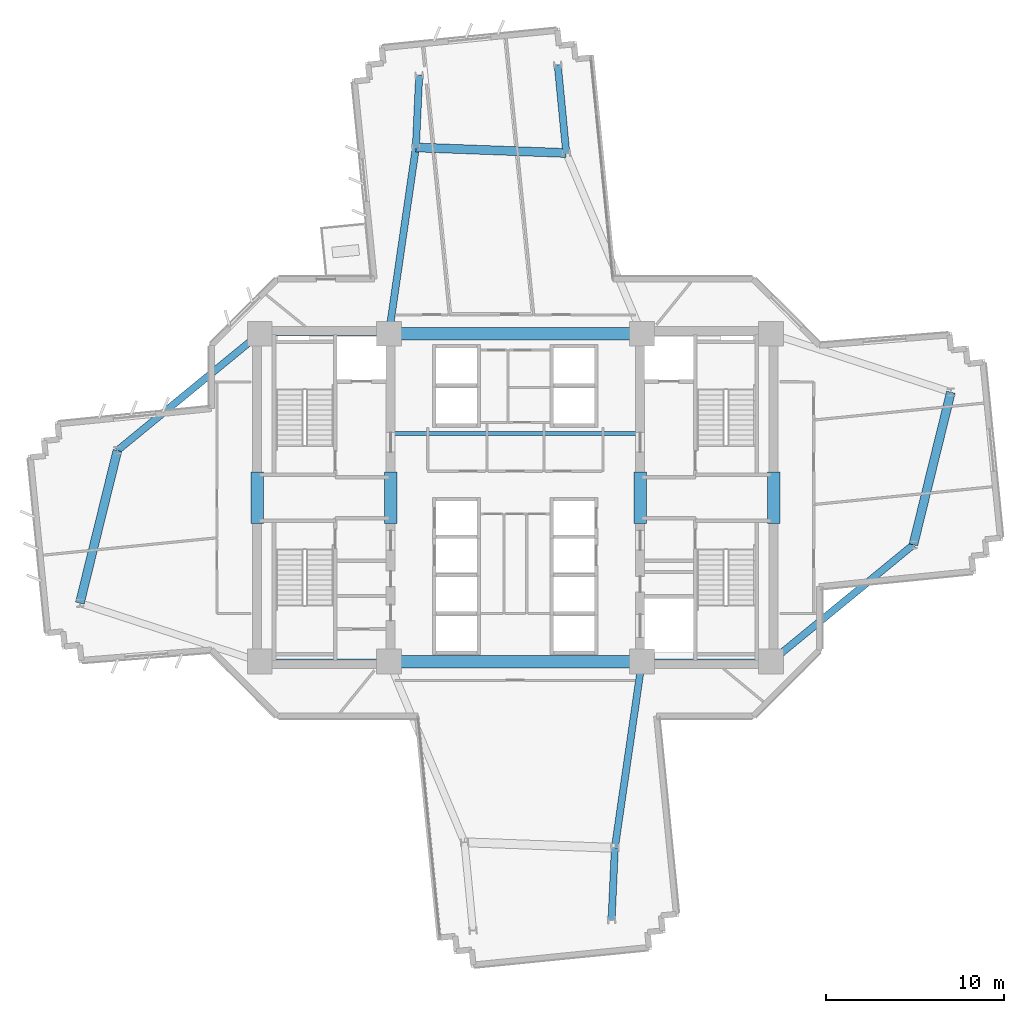
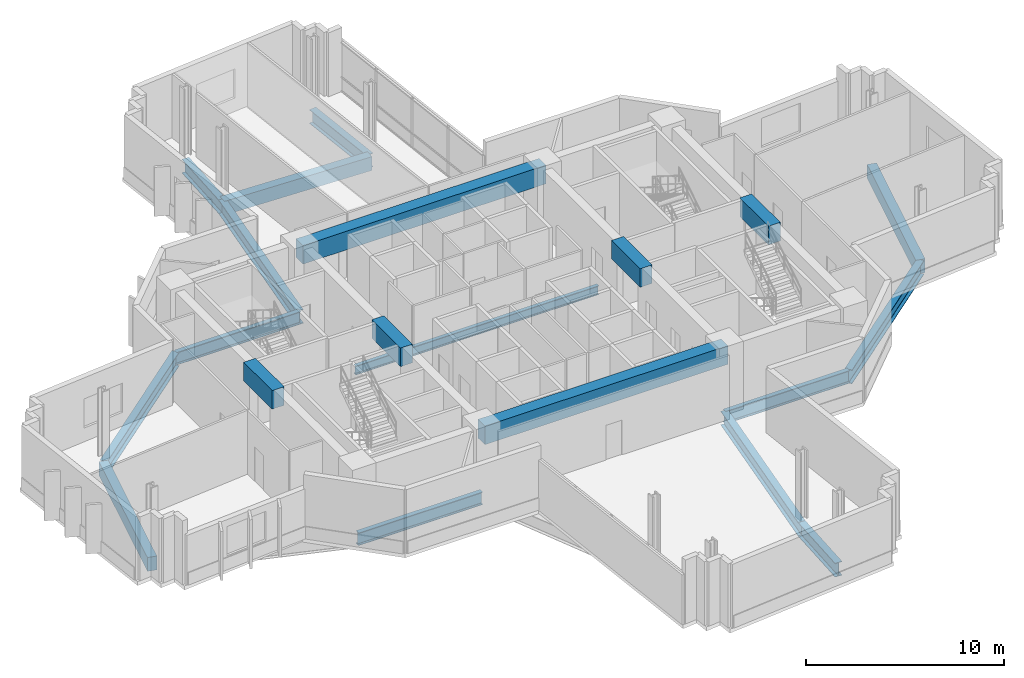
# One storey, part 3 of 14: 20 beams.
"""IFC4 building model written with IfcOpenShell, lengths in metres."""

from ifc_helpers import new_model, si_unit, direction, frame, origin, origin_2d, place, context, subcontext, project, spatial, rectangle, i_section, extrude, source, transform, mapped, material, material_profile, profile_set, type_object, element, save


model = new_model("IFC4")

# Units and contexts
model_context = context("Model", 3, precision=1e-05, world=origin(), true_north=direction((0.0, 1.0)))
body_context = subcontext(model_context, "Body", "Model", "MODEL_VIEW")
ifc_project = project(units=[si_unit("LENGTHUNIT", "METRE"), si_unit("AREAUNIT", "SQUARE_METRE"), si_unit("VOLUMEUNIT", "CUBIC_METRE"), si_unit("PLANEANGLEUNIT", "RADIAN"), si_unit("MASSUNIT", "GRAM", prefix="KILO")], contexts=[model_context])

# Site, building, storey
site_placement = place(None, origin())
site = spatial("IfcSite", under=ifc_project, at=site_placement, CompositionType="ELEMENT")
building_placement = place(site_placement, origin())
building = spatial("IfcBuilding", under=site, at=building_placement, Name="Zahravan Cultural Tower", CompositionType="ELEMENT")
storey_placement = place(building_placement, frame((0.0, 0.0, 96.300048828125)))
storey = spatial("IfcBuildingStorey", under=building, at=storey_placement, Name="L21", CompositionType="ELEMENT", Elevation=96.300048828125)

# Beams
ifc_material_1 = material(Name="Concrete C50/60", Category="concrete")
ifc_material_profile_1 = material_profile(ifc_material_1, rectangle(XDim=0.699951171875, YDim=1.14990234375, at=origin_2d()), Name="RC700X1150")
ifc_profile_set_1 = profile_set([ifc_material_profile_1], Name="Concrete C50/60")
beam_type_1 = type_object("IfcBeamType", Name="BM-LN-RC700X1150", PredefinedType="LINTEL", material=ifc_profile_set_1)
shared_shape_1 = source(origin(), body_context, "Body", "SweptSolid", [
    extrude(rectangle(XDim=0.699951171875, YDim=1.14990234375, at=origin_2d()), origin(), (0.0, 0.0, 1.0), 14.2001953125),
])
for number, where, z_axis, x_axis, name in (
    (1, (28.89990234375, 17.800048828125, 3.375), (1.0, 0.0, 0.0), (0.0, 1.0, 0.0), "L21 Beam LN-L21-S"),
    (2, (28.89990234375, 36.199951171875, 3.375), (1.0, 0.0, 0.0), (0.0, 1.0, 0.0), "L21 Beam LN-L21-N"),
):
    element("IfcBeam", number, at=place(storey_placement, frame(where, z_axis=z_axis, x_axis=x_axis)), inside=storey, type_object=beam_type_1, Name=name, PredefinedType="LINTEL", context=body_context, shape_type="MappedRepresentation", body=[
        mapped(shared_shape_1, transform((0.0, 0.0, 0.0), x_axis=(1.0, 0.0, 0.0), y_axis=(0.0, 1.0, 0.0), z_axis=(0.0, 0.0, 1.0), scale=1.0)),
    ])
shared_shape_2 = source(origin(), body_context, "Body", "SweptSolid", [
    extrude(rectangle(XDim=0.699951171875, YDim=1.14990234375, at=origin_2d()), origin(), (0.0, 0.0, 1.0), 2.89990234375),
])
for number, where, z_axis, x_axis, name in (
    (3, (21.5, 25.550048828125, 3.375), (0.0, 1.0, 0.0), (-1.0, 0.0, 0.0), "L21 Beam LN-L21-PWW"),
    (4, (29.0, 25.550048828125, 3.375), (0.0, 1.0, 0.0), (-1.0, 0.0, 0.0), "L21 Beam LN-L21-PWE"),
    (5, (43.0, 25.550048828125, 3.375), (0.0, 1.0, 0.0), (-1.0, 0.0, 0.0), "L21 Beam LN-L21-PEW"),
    (6, (50.5, 25.550048828125, 3.375), (0.0, 1.0, 0.0), (-1.0, 0.0, 0.0), "L21 Beam LN-L21-PEE"),
):
    element("IfcBeam", number, at=place(storey_placement, frame(where, z_axis=z_axis, x_axis=x_axis)), inside=storey, type_object=beam_type_1, Name=name, PredefinedType="LINTEL", context=body_context, shape_type="MappedRepresentation", body=[
        mapped(shared_shape_2, transform((0.0, 0.0, 0.0), x_axis=(1.0, 0.0, 0.0), y_axis=(0.0, 1.0, 0.0), z_axis=(0.0, 0.0, 1.0), scale=1.0)),
    ])
ifc_material_2 = material(Name="Steel ASTM A992 Grade 50", Category="steel")
ifc_material_profile_2 = material_profile(ifc_material_2, i_section(OverallWidth=0.26611328125, OverallDepth=0.780029296875, WebThickness=0.0166015625, FlangeThickness=0.030029296875, FilletRadius=0.01904296875, at=origin_2d()), Name="W30X148")
ifc_profile_set_2 = profile_set([ifc_material_profile_2], Name="Steel ASTM A992 Grade 50")
beam_type_2 = type_object("IfcBeamType", Name="BM-G-W30X148", PredefinedType="BEAM", material=ifc_profile_set_2)
shared_shape_3 = source(origin(), body_context, "Body", "SweptSolid", [
    extrude(i_section(OverallWidth=0.26611328125, OverallDepth=0.780029296875, WebThickness=0.0166015625, FlangeThickness=0.030029296875, FilletRadius=0.01904296875, at=origin_2d()), origin(), (0.0, 0.0, 1.0), 7.25),
])
for number, where, z_axis, x_axis, name in (
    (7, (21.64990234375, 17.800048828125, -0.64013671875), (1.0, 0.0, 0.0), (0.0, 1.0, 0.0), "L21 Beam BG-L21-01"),
    (8, (21.64990234375, 36.199951171875, -0.64013671875), (1.0, 0.0, 0.0), (0.0, 1.0, 0.0), "L21 Beam BG-L21-02"),
    (9, (43.10009765625, 17.800048828125, -0.64013671875), (1.0, 0.0, 0.0), (0.0, 1.0, 0.0), "L21 Beam BG-L21-04"),
):
    element("IfcBeam", number, at=place(storey_placement, frame(where, z_axis=z_axis, x_axis=x_axis)), inside=storey, type_object=beam_type_2, Name=name, PredefinedType="BEAM", context=body_context, shape_type="MappedRepresentation", body=[
        mapped(shared_shape_3, transform((0.0, 0.0, 0.0), x_axis=(1.0, 0.0, 0.0), y_axis=(0.0, 1.0, 0.0), z_axis=(0.0, 0.0, 1.0), scale=1.0)),
    ])
ifc_material_profile_3 = material_profile(ifc_material_1, rectangle(XDim=0.5, YDim=0.85009765625, at=origin_2d()), Name="RC500X850")
ifc_profile_set_3 = profile_set([ifc_material_profile_3], Name="Concrete C50/60")
beam_type_3 = type_object("IfcBeamType", Name="BM-SP-RC500X850", PredefinedType="SPANDREL", material=ifc_profile_set_3)
shared_shape_4 = source(origin(), body_context, "Body", "SweptSolid", [
    extrude(rectangle(XDim=0.5, YDim=0.85009765625, at=origin_2d()), origin(), (0.0, 0.0, 1.0), 8.4482421875),
])
beam_1_placement = place(storey_placement, frame((38.857421875, 46.346435546875, -0.675048828125), z_axis=(-0.999318826256, 0.036903705643, 0.0), x_axis=(-0.036903705643, -0.999318826256, 0.0)))
element("IfcBeam", 10, at=beam_1_placement, inside=storey, type_object=beam_type_3, Name="L21 Beam SP-L21-21", PredefinedType="SPANDREL", context=body_context, shape_type="MappedRepresentation", body=[
    mapped(shared_shape_4, transform((0.0, 0.0, 0.0), x_axis=(1.0, 0.0, 0.0), y_axis=(0.0, 1.0, 0.0), z_axis=(0.0, 0.0, 1.0), scale=1.0)),
])
shared_shape_5 = source(origin(), body_context, "Body", "SweptSolid", [
    extrude(rectangle(XDim=0.5, YDim=0.85009765625, at=origin_2d()), origin(), (0.0, 0.0, 1.0), 8.8232421875),
])
for number, where, z_axis, x_axis, name in (
    (11, (58.339111328125, 24.351806640625, -0.675048828125), (0.238848860516, 0.971056755206, 0.0), (-0.971056755206, 0.238848860516, 0.0), "L21 Beam SP-L21-20"),
    (12, (13.660888671875, 29.648193359375, -0.675048828125), (-0.238848860516, -0.971056755206, 0.0), (0.971056755206, -0.238848860516, 0.0), "L21 Beam SP-L21-22"),
):
    element("IfcBeam", number, at=place(storey_placement, frame(where, z_axis=z_axis, x_axis=x_axis)), inside=storey, type_object=beam_type_3, Name=name, PredefinedType="SPANDREL", context=body_context, shape_type="MappedRepresentation", body=[
        mapped(shared_shape_5, transform((0.0, 0.0, 0.0), x_axis=(1.0, 0.0, 0.0), y_axis=(0.0, 1.0, 0.0), z_axis=(0.0, 0.0, 1.0), scale=1.0)),
    ])
ifc_material_profile_4 = material_profile(ifc_material_2, i_section(OverallWidth=0.39990234375, OverallDepth=0.862060546875, WebThickness=0.019775390625, FlangeThickness=0.032470703125, FilletRadius=0.02001953125, at=origin_2d()), Name="W33X221")
ifc_profile_set_4 = profile_set([ifc_material_profile_4], Name="Steel ASTM A992 Grade 50")
beam_type_4 = type_object("IfcBeamType", Name="BM-G-W33X221", PredefinedType="BEAM", material=ifc_profile_set_4)
shared_shape_6 = source(origin(), body_context, "Body", "SweptSolid", [
    extrude(i_section(OverallWidth=0.39990234375, OverallDepth=0.862060546875, WebThickness=0.019775390625, FlangeThickness=0.032470703125, FilletRadius=0.02001953125, at=origin_2d()), origin(), (0.0, 0.0, 1.0), 10.5673828125),
])
for number, where, z_axis, x_axis, name in (
    (13, (43.10009765625, 17.800048828125, -0.68115234375), (-0.143377913539, -0.989668011966, 0.0), (0.989668011966, -0.143377913539, 0.0), "L21 Beam BG-L21-09"),
    (14, (28.89990234375, 36.199951171875, -0.68115234375), (0.143377913539, 0.989668011966, 0.0), (-0.989668011966, 0.143377913539, 0.0), "L21 Beam BG-L21-13"),
):
    element("IfcBeam", number, at=place(storey_placement, frame(where, z_axis=z_axis, x_axis=x_axis)), inside=storey, type_object=beam_type_4, Name=name, PredefinedType="BEAM", context=body_context, shape_type="MappedRepresentation", body=[
        mapped(shared_shape_6, transform((0.0, 0.0, 0.0), x_axis=(1.0, 0.0, 0.0), y_axis=(0.0, 1.0, 0.0), z_axis=(0.0, 0.0, 1.0), scale=1.0)),
    ])
shared_shape_7 = source(origin(), body_context, "Body", "SweptSolid", [
    extrude(i_section(OverallWidth=0.39990234375, OverallDepth=0.862060546875, WebThickness=0.019775390625, FlangeThickness=0.032470703125, FilletRadius=0.02001953125, at=origin_2d()), origin(), (0.0, 0.0, 1.0), 10.33203125),
])
for number, where, z_axis, x_axis, name in (
    (15, (50.35009765625, 17.800048828125, -0.68115234375), (0.773231409473, 0.634123952713, 0.0), (-0.634123952713, 0.773231409473, 0.0), "L21 Beam BG-L21-10"),
    (16, (21.64990234375, 36.199951171875, -0.68115234375), (-0.773231409473, -0.634123952713, 0.0), (0.634123952713, -0.773231409473, 0.0), "L21 Beam BG-L21-14"),
):
    element("IfcBeam", number, at=place(storey_placement, frame(where, z_axis=z_axis, x_axis=x_axis)), inside=storey, type_object=beam_type_4, Name=name, PredefinedType="BEAM", context=body_context, shape_type="MappedRepresentation", body=[
        mapped(shared_shape_7, transform((0.0, 0.0, 0.0), x_axis=(1.0, 0.0, 0.0), y_axis=(0.0, 1.0, 0.0), z_axis=(0.0, 0.0, 1.0), scale=1.0)),
    ])
shared_shape_8 = source(origin(), body_context, "Body", "SweptSolid", [
    extrude(i_section(OverallWidth=0.39990234375, OverallDepth=0.862060546875, WebThickness=0.019775390625, FlangeThickness=0.032470703125, FilletRadius=0.02001953125, at=origin_2d()), origin(), (0.0, 0.0, 1.0), 4.973876953125),
])
beam_2_placement = place(storey_placement, frame((38.857421875, 46.346435546875, -0.68115234375), z_axis=(-0.096154779131, 0.995366394073, 0.0), x_axis=(-0.995366394073, -0.096154779131, 0.0)))
element("IfcBeam", 17, at=beam_2_placement, inside=storey, type_object=beam_type_4, Name="L21 Beam BG-L21-15", PredefinedType="BEAM", context=body_context, shape_type="MappedRepresentation", body=[
    mapped(shared_shape_8, transform((0.0, 0.0, 0.0), x_axis=(1.0, 0.0, 0.0), y_axis=(0.0, 1.0, 0.0), z_axis=(0.0, 0.0, 1.0), scale=1.0)),
])
shared_shape_9 = source(origin(), body_context, "Body", "SweptSolid", [
    extrude(i_section(OverallWidth=0.39990234375, OverallDepth=0.862060546875, WebThickness=0.019775390625, FlangeThickness=0.032470703125, FilletRadius=0.02001953125, at=origin_2d()), origin(), (0.0, 0.0, 1.0), 4.0537109375),
])
for number, where, z_axis, x_axis, name in (
    (18, (30.4150390625, 46.658203125, -0.68115234375), (0.045770994677, 0.998951958828, 0.0), (-0.998951958828, 0.045770994677, 0.0), "L21 Beam BG-L21-16"),
    (19, (41.5849609375, 7.341796875, -0.68115234375), (-0.045770994677, -0.998951958828, 0.0), (0.998951958828, -0.045770994677, 0.0), "L21 Beam BG-L21-18"),
):
    element("IfcBeam", number, at=place(storey_placement, frame(where, z_axis=z_axis, x_axis=x_axis)), inside=storey, type_object=beam_type_4, Name=name, PredefinedType="BEAM", context=body_context, shape_type="MappedRepresentation", body=[
        mapped(shared_shape_9, transform((0.0, 0.0, 0.0), x_axis=(1.0, 0.0, 0.0), y_axis=(0.0, 1.0, 0.0), z_axis=(0.0, 0.0, 1.0), scale=1.0)),
    ])
ifc_material_profile_5 = material_profile(ifc_material_2, i_section(OverallWidth=0.214111328125, OverallDepth=0.549072265625, WebThickness=0.0146484375, FlangeThickness=0.023681640625, FilletRadius=0.013916015625, at=origin_2d()), Name="W21X93")
ifc_profile_set_5 = profile_set([ifc_material_profile_5], Name="Steel ASTM A992 Grade 50")
beam_type_5 = type_object("IfcBeamType", Name="BM-J-W21X93", PredefinedType="JOIST", material=ifc_profile_set_5)
shared_shape_10 = source(origin(), body_context, "Body", "SweptSolid", [
    extrude(i_section(OverallWidth=0.214111328125, OverallDepth=0.549072265625, WebThickness=0.0146484375, FlangeThickness=0.023681640625, FilletRadius=0.013916015625, at=origin_2d()), origin(), (0.0, 0.0, 1.0), 14.2001953125),
])
beam_3_placement = place(storey_placement, frame((28.89990234375, 30.60009765625, -0.524658203125), z_axis=(1.0, 0.0, 0.0), x_axis=(0.0, 1.0, 0.0)))
element("IfcBeam", 20, at=beam_3_placement, inside=storey, type_object=beam_type_5, Name="L21 Beam BJ-L21-23", PredefinedType="JOIST", context=body_context, shape_type="MappedRepresentation", body=[
    mapped(shared_shape_10, transform((0.0, 0.0, 0.0), x_axis=(1.0, 0.0, 0.0), y_axis=(0.0, 1.0, 0.0), z_axis=(0.0, 0.0, 1.0), scale=1.0)),
])

save(model, "model.ifc")
